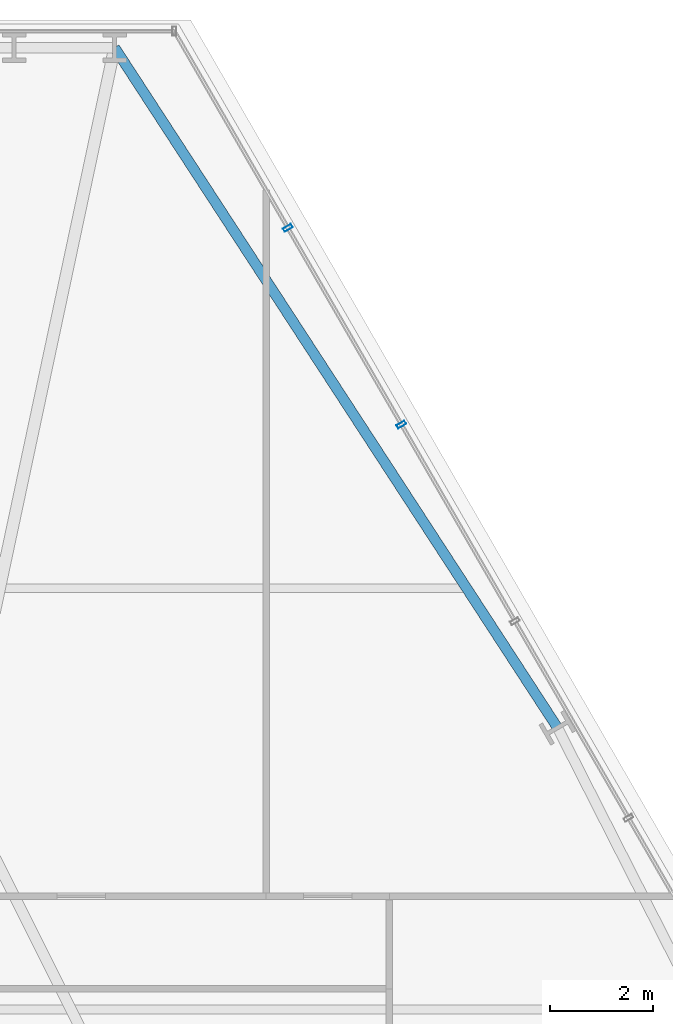
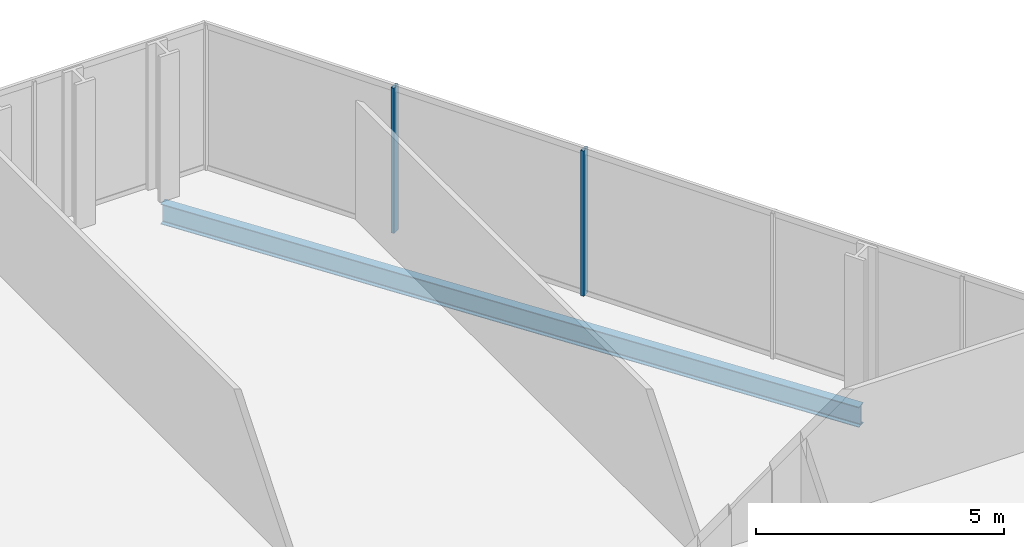
# One storey, part 25 of 32: 2 members, 1 beam, 1 element without a shape of its own.
"""IFC4 building model written with IfcOpenShell, lengths in metres."""

from ifc_helpers import new_model, si_unit, direction, frame, origin, origin_2d, place, context, subcontext, project, spatial, hollow_rectangle, i_section, extrude, material, layer, layer_set, material_profile, profile_set, type_object, element, aggregate, save


model = new_model("IFC4")

# Units and contexts
model_context = context("Model", 3, precision=1e-05, world=origin(), true_north=direction((0.0, 1.0)))
body_context = subcontext(model_context, "Body", "Model", "MODEL_VIEW")
ifc_project = project(units=[si_unit("LENGTHUNIT", "METRE"), si_unit("AREAUNIT", "SQUARE_METRE"), si_unit("VOLUMEUNIT", "CUBIC_METRE"), si_unit("PLANEANGLEUNIT", "RADIAN"), si_unit("MASSUNIT", "GRAM", prefix="KILO")], contexts=[model_context])

# Site, building, storey
site_placement = place(None, origin())
site = spatial("IfcSite", under=ifc_project, at=site_placement, CompositionType="ELEMENT")
building_placement = place(site_placement, origin())
building = spatial("IfcBuilding", under=site, at=building_placement, Name="Ndaravel Arena Tower", CompositionType="ELEMENT")
storey_placement = place(building_placement, frame((0.0, 0.0, 47.39990234375)))
storey = spatial("IfcBuildingStorey", under=building, at=storey_placement, Name="L09", CompositionType="ELEMENT", Elevation=47.39990234375)

# Beam
ifc_material_1 = material(Name="Steel S355", Category="steel")
ifc_material_profile_1 = material_profile(ifc_material_1, i_section(OverallWidth=0.199951171875, OverallDepth=0.5, WebThickness=0.01025390625, FlangeThickness=0.01611328125, FilletRadius=0.02099609375, at=origin_2d()), Name="IPE 500")
ifc_profile_set_1 = profile_set([ifc_material_profile_1], Name="Steel S355")
beam_type = type_object("IfcBeamType", Name="BM-SPAN-IPE500", PredefinedType="SPANDREL", material=ifc_profile_set_1)
beam_placement = place(storey_placement, frame((57.476318359375, 32.285400390625, -0.469970703125), z_axis=(-0.545711257889, 0.837973282995, 0.0), x_axis=(-0.837973282995, -0.545711257889, 0.0)))
element("IfcBeam", 1, at=beam_placement, inside=storey, type_object=beam_type, Name="L09 Perimeter Spandrel Beam SP-10", PredefinedType="SPANDREL", context=body_context, shape_type="SweptSolid", body=[
    extrude(i_section(OverallWidth=0.199951171875, OverallDepth=0.5, WebThickness=0.01025390625, FlangeThickness=0.01611328125, FilletRadius=0.02099609375, at=origin_2d()), origin(), (0.0, 0.0, 1.0), 15.807373046875),
])

# Curtain wall, members
ifc_material_2 = material(Name="Aluminium", Category="aluminium")
ifc_layer = layer(ifc_material_2, 0.179931640625)
ifc_layer_set = layer_set([ifc_layer], Name="Aluminium")
curtain_wall_type = type_object("IfcCurtainWallType", Name="CW-SYS-03", PredefinedType="NOTDEFINED", material=ifc_layer_set)
curtain_wall_placement = place(storey_placement, origin())
curtain_wall = element("IfcCurtainWall", 2, at=curtain_wall_placement, inside=storey, type_object=curtain_wall_type, Name="L09 Faceted Crystal Curtain Wall CW-L09-E03", PredefinedType="NOTDEFINED")
ifc_material_3 = material(Name="Aluminium", Category="aluminium")
ifc_material_profile_2 = material_profile(ifc_material_3, hollow_rectangle(XDim=0.074951171875, YDim=0.179931640625, WallThickness=0.00390625, at=origin_2d()), Name="CW MULLION 75x180x4")
ifc_profile_set_2 = profile_set([ifc_material_profile_2], Name="Aluminium")
member_type = type_object("IfcMemberType", Name="MEM-CW-MUL180", PredefinedType="MULLION", material=ifc_profile_set_2)
member_1_placement = place(storey_placement, frame((54.43603515625, 38.19091796875, 0.0), z_axis=(0.0, 0.0, 1.0), x_axis=(-0.5, 0.866025403784, 0.0)))
member_1 = element("IfcMember", 3, at=member_1_placement, type_object=member_type, Name="CW-L09-E03 Mullion 05", PredefinedType="MULLION", context=body_context, shape_type="SweptSolid", body=[
    extrude(hollow_rectangle(XDim=0.074951171875, YDim=0.179931640625, WallThickness=0.00390625, at=origin_2d()), origin(), (0.0, 0.0, 1.0), 3.580078125),
])
member_2_placement = place(storey_placement, frame((52.224609375, 42.02099609375, 0.0), z_axis=(0.0, 0.0, 1.0), x_axis=(-0.5, 0.866025403784, 0.0)))
member_2 = element("IfcMember", 4, at=member_2_placement, type_object=member_type, Name="CW-L09-E03 Mullion 06", PredefinedType="MULLION", context=body_context, shape_type="SweptSolid", body=[
    extrude(hollow_rectangle(XDim=0.074951171875, YDim=0.179931640625, WallThickness=0.00390625, at=origin_2d()), origin(), (0.0, 0.0, 1.0), 3.580078125),
])
aggregate(curtain_wall, [member_1, member_2])

save(model, "model.ifc")
